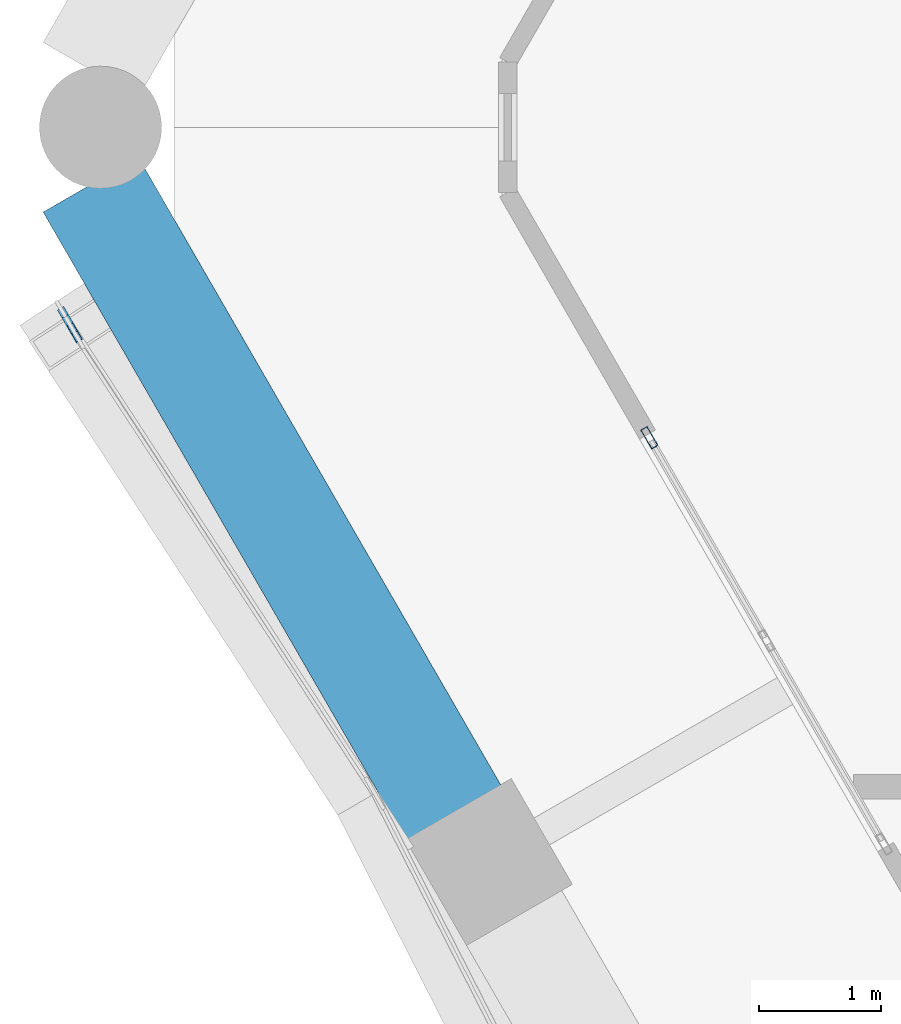
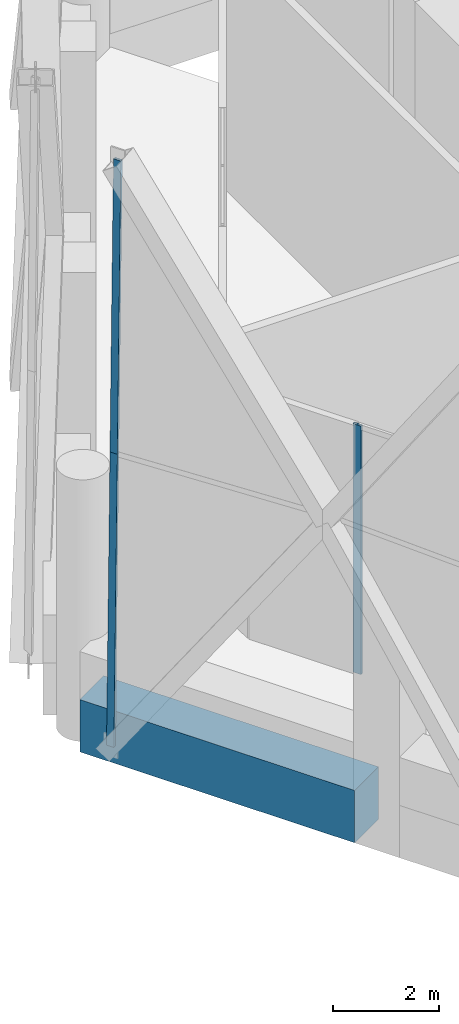
# One storey, part 13 of 43: 3 members, 1 beam, 2 elements without a shape of their own.
"""IFC4 building model written with IfcOpenShell, lengths in metres."""

from ifc_helpers import new_model, si_unit, direction, frame, origin, origin_2d, place, context, subcontext, project, spatial, rectangle, hollow_rectangle, extrude, material, material_profile, profile_set, type_object, element, aggregate, save


model = new_model("IFC4")

# Units and contexts
model_context = context("Model", 3, precision=1e-05, world=origin(), true_north=direction((0.0, 1.0)))
body_context = subcontext(model_context, "Body", "Model", "MODEL_VIEW")
ifc_project = project(units=[si_unit("LENGTHUNIT", "METRE"), si_unit("AREAUNIT", "SQUARE_METRE"), si_unit("VOLUMEUNIT", "CUBIC_METRE"), si_unit("PLANEANGLEUNIT", "RADIAN"), si_unit("MASSUNIT", "GRAM", prefix="KILO")], contexts=[model_context])

# Site, building, storey
site_placement = place(None, origin())
site = spatial("IfcSite", under=ifc_project, at=site_placement, CompositionType="ELEMENT")
building_placement = place(site_placement, origin())
building = spatial("IfcBuilding", under=site, at=building_placement, Name="Ostrander Bayou Hotel Tower", CompositionType="ELEMENT")
storey_placement = place(building_placement, frame((0.0, 0.0, 151.0)))
storey = spatial("IfcBuildingStorey", under=building, at=storey_placement, Name="L37", CompositionType="ELEMENT", Elevation=151.0)

# Curtain wall, members
ifc_material_1 = material(Name="Aluminium and clear glass", Category="aluminium")
curtain_wall_type_1 = type_object("IfcCurtainWallType", Name="CW-LAT lattice glazing", PredefinedType="NOTDEFINED", material=ifc_material_1)
curtain_wall_1_placement = place(storey_placement, origin())
curtain_wall_1 = element("IfcCurtainWall", 1, at=curtain_wall_1_placement, inside=storey, type_object=curtain_wall_type_1, Name="CW-LAT L37 SW 1", PredefinedType="NOTDEFINED")
ifc_material_2 = material(Name="Aluminium", Category="aluminium")
ifc_material_profile_1 = material_profile(ifc_material_2, hollow_rectangle(XDim=0.06005859375, YDim=0.159912109375, WallThickness=0.00390625, at=origin_2d()))
ifc_profile_set_1 = profile_set([ifc_material_profile_1], Name="Aluminium")
member_type_1 = type_object("IfcMemberType", Name="CW-LA mullion 60 x 160 mm", PredefinedType="MULLION", material=ifc_profile_set_1)
member_1_placement = place(storey_placement, frame((-21.12451171875, -1.551513671875, -0.60009765625), z_axis=(0.005605840685, -0.009692679377, 0.999937311293), x_axis=(0.86564734414, 0.500654247544, 0.0)))
member_1 = element("IfcMember", 2, at=member_1_placement, type_object=member_type_1, Name="CW-LAT mullion 1", PredefinedType="MULLION", context=body_context, shape_type="SweptSolid", body=[
    extrude(hollow_rectangle(XDim=0.06005859375, YDim=0.159912109375, WallThickness=0.00390625, at=origin_2d()), origin(), (0.0, 0.0, 1.0), 6.75048828125),
])
member_2_placement = place(storey_placement, frame((-21.086669921875, -1.616943359375, 6.14990234375), z_axis=(0.005605840685, -0.009692679377, 0.999937311293), x_axis=(0.86564734414, 0.500654247544, 0.0)))
member_2 = element("IfcMember", 3, at=member_2_placement, type_object=member_type_1, Name="CW-LAT mullion 2", PredefinedType="MULLION", context=body_context, shape_type="SweptSolid", body=[
    extrude(hollow_rectangle(XDim=0.06005859375, YDim=0.159912109375, WallThickness=0.00390625, at=origin_2d()), origin(), (0.0, 0.0, 1.0), 6.75048828125),
])
aggregate(curtain_wall_1, [member_1, member_2])

# Curtain wall, member
ifc_material_3 = material(Name="Aluminium and clear glass", Category="aluminium")
curtain_wall_type_2 = type_object("IfcCurtainWallType", Name="CW-SKY amenity glass wall", PredefinedType="NOTDEFINED", material=ifc_material_3)
curtain_wall_2_placement = place(storey_placement, origin())
curtain_wall_2 = element("IfcCurtainWall", 4, at=curtain_wall_2_placement, inside=storey, type_object=curtain_wall_type_2, Name="CW-SKY L37 SW 1", PredefinedType="NOTDEFINED")
ifc_material_4 = material(Name="Aluminium", Category="aluminium")
ifc_material_profile_2 = material_profile(ifc_material_4, hollow_rectangle(XDim=0.06005859375, YDim=0.179931640625, WallThickness=0.00390625, at=origin_2d()))
ifc_profile_set_2 = profile_set([ifc_material_profile_2], Name="Aluminium")
member_type_2 = type_object("IfcMemberType", Name="CW-SK mullion 60 x 180 mm", PredefinedType="MULLION", material=ifc_profile_set_2)
member_3_placement = place(storey_placement, frame((-16.343505859375, -2.542236328125, 0.0), z_axis=(0.0, 0.0, 1.0), x_axis=(0.866025463091, 0.499999897278, 0.0)))
member_3 = element("IfcMember", 5, at=member_3_placement, type_object=member_type_2, Name="CW-SKY mullion 1", PredefinedType="MULLION", context=body_context, shape_type="SweptSolid", body=[
    extrude(hollow_rectangle(XDim=0.06005859375, YDim=0.179931640625, WallThickness=0.00390625, at=origin_2d()), origin(), (0.0, 0.0, 1.0), 5.699951171875),
])
aggregate(curtain_wall_2, [member_3])

# Beam
ifc_material_5 = material(Name="Concrete f'c 60 MPa", Category="concrete")
ifc_material_profile_3 = material_profile(ifc_material_5, rectangle(XDim=0.89990234375, YDim=1.199951171875, at=origin_2d()))
ifc_profile_set_3 = profile_set([ifc_material_profile_3], Name="Concrete f'c 60 MPa")
beam_type = type_object("IfcBeamType", Name="SP3 spandrel beam 900 x 1200 mm f'c 60 MPa", PredefinedType="SPANDREL", material=ifc_profile_set_3)
beam_placement = place(storey_placement, frame((-20.91748046875, -0.4697265625, -0.60009765625), z_axis=(0.500004760619, -0.866022655223, 0.0), x_axis=(0.866022655223, 0.500004760619, 0.0)))
element("IfcBeam", 6, at=beam_placement, inside=storey, type_object=beam_type, Name="SP3 L37 SW-1", PredefinedType="SPANDREL", context=body_context, shape_type="SweptSolid", body=[
    extrude(rectangle(XDim=0.89990234375, YDim=1.199951171875, at=origin_2d()), origin(), (0.0, 0.0, 1.0), 5.9638671875),
])

save(model, "model.ifc")
